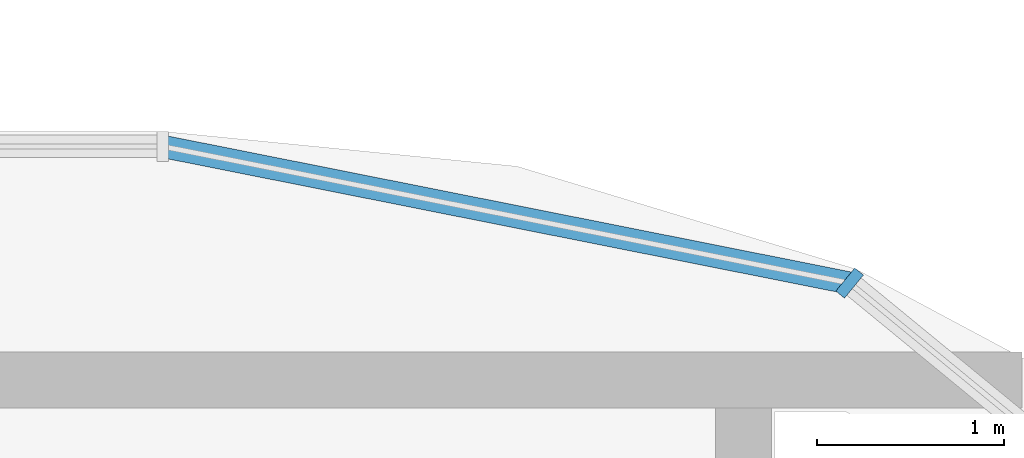
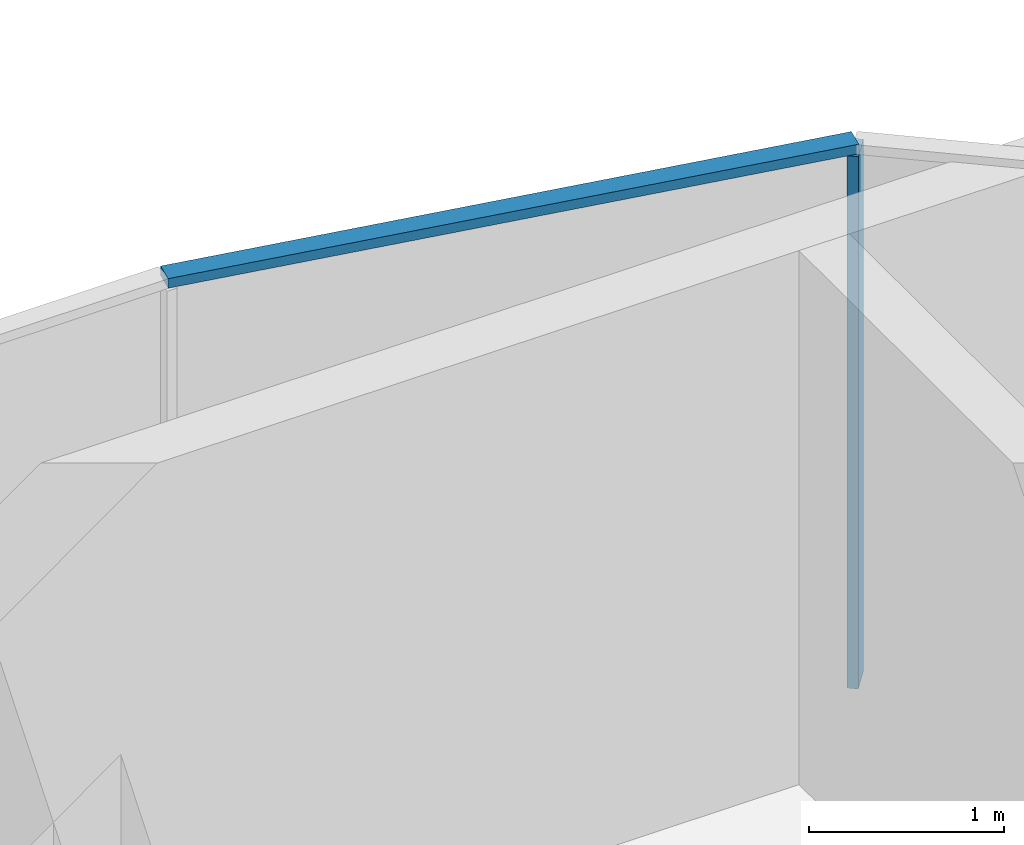
# One storey, part 5 of 23: 2 members, 1 element without a shape of its own.
"""IFC4 building model written with IfcOpenShell, lengths in metres."""

from ifc_helpers import new_model, si_unit, direction, frame, origin, origin_2d, place, context, subcontext, project, spatial, rectangle, extrude, material, material_profile, profile_set, type_object, element, aggregate, save


model = new_model("IFC4")

# Units and contexts
model_context = context("Model", 3, precision=1e-05, world=origin(), true_north=direction((0.0, 1.0)))
body_context = subcontext(model_context, "Body", "Model", "MODEL_VIEW")
ifc_project = project(units=[si_unit("LENGTHUNIT", "METRE"), si_unit("AREAUNIT", "SQUARE_METRE"), si_unit("VOLUMEUNIT", "CUBIC_METRE"), si_unit("PLANEANGLEUNIT", "RADIAN"), si_unit("MASSUNIT", "GRAM", prefix="KILO")], contexts=[model_context])

# Site, building, storey
site_placement = place(None, origin())
site = spatial("IfcSite", under=ifc_project, at=site_placement, CompositionType="ELEMENT")
building_placement = place(site_placement, origin())
building = spatial("IfcBuilding", under=site, at=building_placement, Name="Ogive Portal Towers", CompositionType="ELEMENT")
storey_placement = place(building_placement, frame((0.0, 0.0, 186.60009765625)))
storey = spatial("IfcBuildingStorey", under=building, at=storey_placement, Name="L46", CompositionType="ELEMENT", Elevation=186.60009765625)

# Curtain wall, members
ifc_material_1 = material(Name="Glass, clear low-iron insulated glazing", Category="glass")
curtain_wall_type = type_object("IfcCurtainWallType", Name="CW FRONT RIBBON 4500", PredefinedType="NOTDEFINED", material=ifc_material_1)
curtain_wall_placement = place(storey_placement, origin())
curtain_wall = element("IfcCurtainWall", 1, at=curtain_wall_placement, inside=storey, type_object=curtain_wall_type, Name="A:L46:f13:cwa", PredefinedType="NOTDEFINED")
ifc_material_2 = material(Name="Aluminium 6063 anodised", Category="aluminium")
ifc_material_profile_1 = material_profile(ifc_material_2, rectangle(XDim=0.159912109375, YDim=0.06005859375, at=origin_2d()), Name="AL 60x160")
ifc_profile_set_1 = profile_set([ifc_material_profile_1], Name="Aluminium 6063 anodised")
member_type_1 = type_object("IfcMemberType", Name="CW MULLION 60x160", PredefinedType="MULLION", material=ifc_profile_set_1)
member_1_placement = place(storey_placement, frame((91.169189453125, 41.36865234375, 0.0), z_axis=(0.0, 0.0, 1.0), x_axis=(-0.634393284164, -0.773010453363, 0.0)))
member_1 = element("IfcMember", 2, at=member_1_placement, type_object=member_type_1, Name="mullion", PredefinedType="MULLION", context=body_context, shape_type="SweptSolid", body=[
    extrude(rectangle(XDim=0.159912109375, YDim=0.06005859375, at=origin_2d()), origin(), (0.0, 0.0, 1.0), 3.33984375),
])
ifc_material_profile_2 = material_profile(ifc_material_2, rectangle(XDim=0.1201171875, YDim=0.06005859375, at=origin_2d()), Name="AL 120x60")
ifc_profile_set_2 = profile_set([ifc_material_profile_2], Name="Aluminium 6063 anodised")
member_type_2 = type_object("IfcMemberType", Name="CW TRANSOM 60x120", PredefinedType="USERDEFINED", material=ifc_profile_set_2)
member_2_placement = place(storey_placement, frame((91.169189453125, 41.36865234375, 3.369873046875), z_axis=(-0.980783027079, 0.195101649899, 0.0), x_axis=(-0.195101649899, -0.980783027079, 0.0)))
member_2 = element("IfcMember", 3, at=member_2_placement, type_object=member_type_2, Name="transom", ObjectType="TRANSOM", PredefinedType="USERDEFINED", context=body_context, shape_type="SweptSolid", body=[
    extrude(rectangle(XDim=0.1201171875, YDim=0.06005859375, at=origin_2d()), origin(), (0.0, 0.0, 1.0), 3.7490234375),
])
aggregate(curtain_wall, [member_2, member_1])

save(model, "model.ifc")
